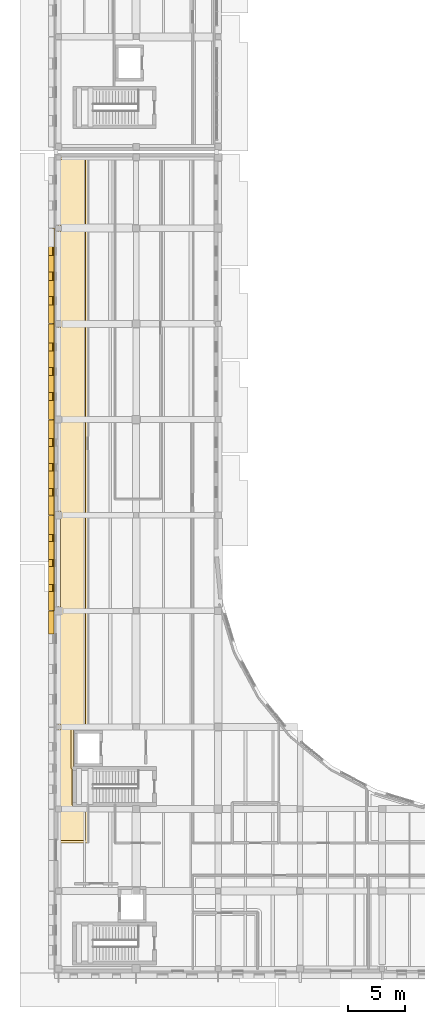
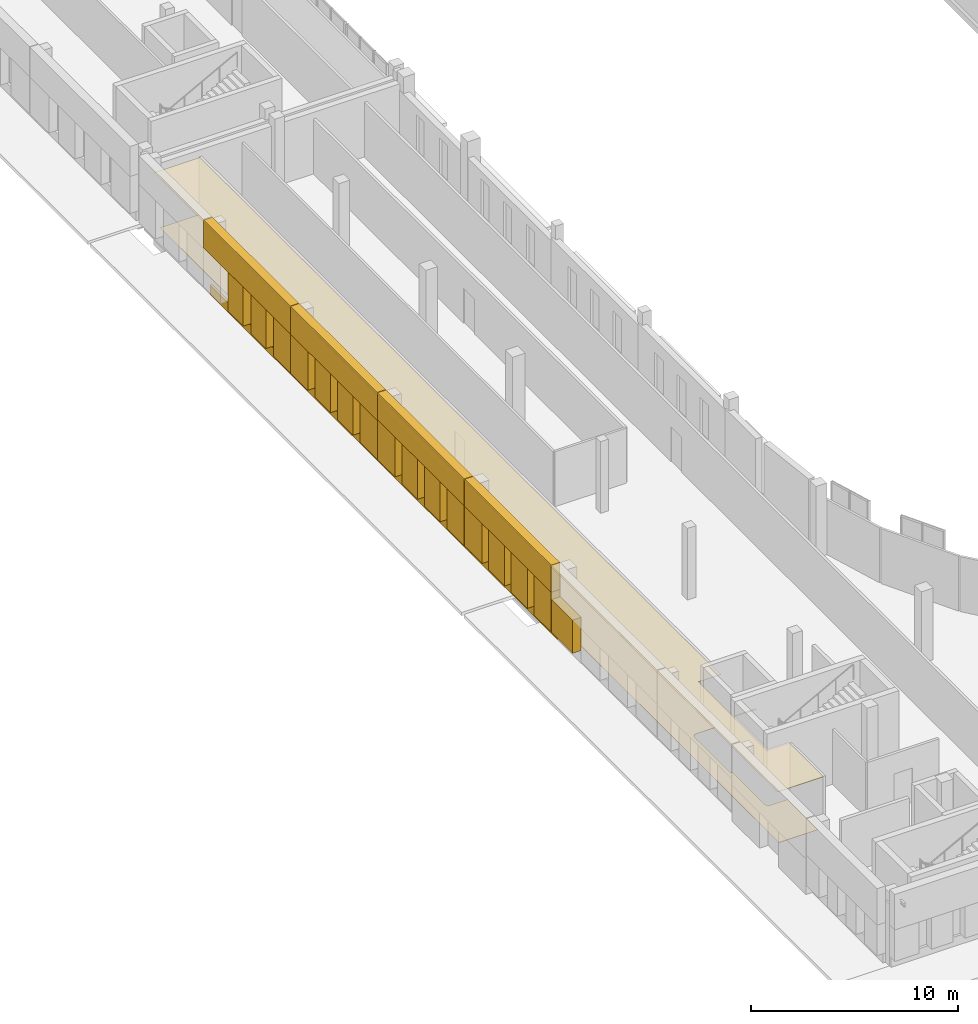
# One storey, part 68 of 77: 26 coverings.
"""IFC4 building model written with IfcOpenShell, lengths in metres."""

from ifc_helpers import new_model, si_unit, direction, frame, origin, place, context, subcontext, project, spatial, polyline, outline, extrude, material, layer, layer_set, type_object, element, save


model = new_model("IFC4")

# Units and contexts
model_context = context("Model", 3, precision=1e-05, world=origin(), true_north=direction((0.0, 1.0)))
body_context = subcontext(model_context, "Body", "Model", "MODEL_VIEW")
ifc_project = project(units=[si_unit("LENGTHUNIT", "METRE"), si_unit("AREAUNIT", "SQUARE_METRE"), si_unit("VOLUMEUNIT", "CUBIC_METRE"), si_unit("PLANEANGLEUNIT", "RADIAN"), si_unit("MASSUNIT", "GRAM", prefix="KILO")], contexts=[model_context])

# Site, building, storey
site_placement = place(None, origin())
site = spatial("IfcSite", under=ifc_project, at=site_placement, CompositionType="ELEMENT")
building_placement = place(site_placement, origin())
building = spatial("IfcBuilding", under=site, at=building_placement, Name="Vardoun Plaza Health Centre", CompositionType="ELEMENT")
storey_placement = place(building_placement, origin())
storey = spatial("IfcBuildingStorey", under=building, at=storey_placement, Name="L00", CompositionType="ELEMENT", Elevation=0.0)

# Coverings
ifc_material_1 = material(Name="Hygienic Acoustic Mineral-Fibre Ceiling", Category="concrete")
ifc_layer_1 = layer(ifc_material_1, 0.02490234375)
ifc_layer_set_1 = layer_set([ifc_layer_1], Name="Hygienic Acoustic Mineral-Fibre Ceiling")
covering_type_1 = type_object("IfcCoveringType", Name="CL-01", PredefinedType="CEILING", material=ifc_layer_set_1)
covering_1_placement = place(storey_placement, frame((0.0, 0.0, 3.179931640625)))
element("IfcCovering", 1, at=covering_1_placement, inside=storey, type_object=covering_type_1, Name="GP Consulting Room 02 Acoustic Ceiling", PredefinedType="CEILING", context=body_context, shape_type="SweptSolid", body=[
    extrude(outline(polyline([(4.860107421875, 76.139892578125), (7.449951171875, 76.139892578125), (7.449951171875, 25.860107421875), (6.199951171875, 25.860107421875), (6.198974609375, 25.860107421875), (6.197998046875, 25.85986328125), (6.197021484375, 25.859619140625), (6.1962890625, 25.859130859375), (6.1953125, 25.85888671875), (6.1943359375, 25.8583984375), (6.193603515625, 25.857666015625), (6.19287109375, 25.857177734375), (6.1923828125, 25.856201171875), (6.191650390625, 25.855712890625), (6.191162109375, 25.854736328125), (6.19091796875, 25.853759765625), (6.1904296875, 25.852783203125), (6.190185546875, 25.85205078125), (6.18994140625, 25.85107421875), (6.18994140625, 25.85009765625), (6.18994140625, 22.550048828125), (6.18994140625, 22.549072265625), (6.190185546875, 22.548095703125), (6.1904296875, 22.547119140625), (6.19091796875, 22.546142578125), (6.191162109375, 22.54541015625), (6.191650390625, 22.54443359375), (6.1923828125, 22.543701171875), (6.19287109375, 22.54296875), (6.193603515625, 22.542236328125), (6.1943359375, 22.541748046875), (6.1953125, 22.541259765625), (6.1962890625, 22.540771484375), (6.197021484375, 22.540283203125), (6.197998046875, 22.540283203125), (6.198974609375, 22.5400390625), (6.199951171875, 22.5400390625), (7.449951171875, 22.5400390625), (7.449951171875, 22.4599609375), (6.300048828125, 22.4599609375), (6.299072265625, 22.4599609375), (6.298095703125, 22.459716796875), (6.297119140625, 22.459716796875), (6.296142578125, 22.459228515625), (6.29541015625, 22.458740234375), (6.29443359375, 22.458251953125), (6.293701171875, 22.457763671875), (6.29296875, 22.45703125), (6.292236328125, 22.456298828125), (6.291748046875, 22.45556640625), (6.291259765625, 22.45458984375), (6.290771484375, 22.453857421875), (6.290283203125, 22.452880859375), (6.290283203125, 22.451904296875), (6.2900390625, 22.450927734375), (6.2900390625, 22.449951171875), (6.2900390625, 19.300048828125), (6.2900390625, 19.299072265625), (6.290283203125, 19.298095703125), (6.290283203125, 19.297119140625), (6.290771484375, 19.296142578125), (6.291259765625, 19.29541015625), (6.291748046875, 19.29443359375), (6.292236328125, 19.293701171875), (6.29296875, 19.29296875), (6.293701171875, 19.292236328125), (6.29443359375, 19.291748046875), (6.29541015625, 19.291259765625), (6.296142578125, 19.290771484375), (6.297119140625, 19.290283203125), (6.298095703125, 19.290283203125), (6.299072265625, 19.2900390625), (6.300048828125, 19.2900390625), (7.449951171875, 19.2900390625), (7.449951171875, 15.929931640625), (4.860107421875, 15.929931640625), (4.860107421875, 76.139892578125)])), origin(), (0.0, 0.0, 1.0), 0.025146484375),
])
ifc_material_2 = material(Name="Pale Limestone Concrete C35/45", Category="masonry")
ifc_layer_2 = layer(ifc_material_2, 0.080078125)
ifc_layer_set_2 = layer_set([ifc_layer_2], Name="Pale Limestone Concrete C35/45")
covering_type_2 = type_object("IfcCoveringType", Name="CL-EXT1", PredefinedType="CLADDING", material=ifc_layer_set_2)
covering_2_placement = place(storey_placement, frame((0.0, 0.0, 0.550048828125)))
element("IfcCovering", 2, at=covering_2_placement, inside=storey, type_object=covering_type_2, Name="V2 L00 Deep-Punched Slot Concrete Reveal Pier 53", PredefinedType="CLADDING", context=body_context, shape_type="SweptSolid", body=[
    extrude(outline(polyline([(4.5, 34.261962890625), (4.5, 36.280029296875), (4.02001953125, 36.280029296875), (4.02001953125, 34.261962890625), (4.5, 34.261962890625)])), origin(), (0.0, 0.0, 1.0), 1.949951171875),
])
covering_3_placement = place(storey_placement, origin())
element("IfcCovering", 3, at=covering_3_placement, inside=storey, type_object=covering_type_2, Name="V2 L00 Pale Concrete Sill Band 54", PredefinedType="CLADDING", context=body_context, shape_type="SweptSolid", body=[
    extrude(outline(polyline([(4.5, 36.320068359375), (4.5, 44.679931640625), (4.360107421875, 44.679931640625), (4.360107421875, 36.320068359375), (4.5, 36.320068359375)])), origin(), (0.0, 0.0, 1.0), 0.550048828125),
])
covering_4_placement = place(storey_placement, frame((0.0, 0.0, 2.89990234375)))
element("IfcCovering", 4, at=covering_4_placement, inside=storey, type_object=covering_type_2, Name="V2 L00 Sculpted Concrete Eyebrow Hood 55", PredefinedType="CLADDING", context=body_context, shape_type="SweptSolid", body=[
    extrude(outline(polyline([(4.5, 36.320068359375), (4.5, 44.679931640625), (4.02001953125, 44.679931640625), (4.02001953125, 36.320068359375), (4.5, 36.320068359375)])), origin(), (0.0, 0.0, 1.0), 1.60009765625),
])
covering_5_placement = place(storey_placement, frame((0.0, 0.0, 0.550048828125)))
element("IfcCovering", 5, at=covering_5_placement, inside=storey, type_object=covering_type_2, Name="V2 L00 Deep-Punched Slot Concrete Reveal Pier 56", PredefinedType="CLADDING", context=body_context, shape_type="SweptSolid", body=[
    extrude(outline(polyline([(4.5, 36.320068359375), (4.5, 38.006103515625), (4.02001953125, 38.006103515625), (4.02001953125, 36.320068359375), (4.5, 36.320068359375)])), origin(), (0.0, 0.0, 1.0), 2.349853515625),
])
covering_6_placement = place(storey_placement, frame((0.0, 0.0, 0.550048828125)))
element("IfcCovering", 6, at=covering_6_placement, inside=storey, type_object=covering_type_2, Name="V2 L00 Deep-Punched Slot Concrete Reveal Pier 57", PredefinedType="CLADDING", context=body_context, shape_type="SweptSolid", body=[
    extrude(outline(polyline([(4.5, 38.6259765625), (4.5, 40.18994140625), (4.02001953125, 40.18994140625), (4.02001953125, 38.6259765625), (4.5, 38.6259765625)])), origin(), (0.0, 0.0, 1.0), 2.349853515625),
])
covering_7_placement = place(storey_placement, frame((0.0, 0.0, 0.550048828125)))
element("IfcCovering", 7, at=covering_7_placement, inside=storey, type_object=covering_type_2, Name="V2 L00 Deep-Punched Slot Concrete Reveal Pier 58", PredefinedType="CLADDING", context=body_context, shape_type="SweptSolid", body=[
    extrude(outline(polyline([(4.5, 40.81005859375), (4.5, 42.3740234375), (4.02001953125, 42.3740234375), (4.02001953125, 40.81005859375), (4.5, 40.81005859375)])), origin(), (0.0, 0.0, 1.0), 2.349853515625),
])
covering_8_placement = place(storey_placement, frame((0.0, 0.0, 0.550048828125)))
element("IfcCovering", 8, at=covering_8_placement, inside=storey, type_object=covering_type_2, Name="V2 L00 Deep-Punched Slot Concrete Reveal Pier 59", PredefinedType="CLADDING", context=body_context, shape_type="SweptSolid", body=[
    extrude(outline(polyline([(4.5, 42.993896484375), (4.5, 44.679931640625), (4.02001953125, 44.679931640625), (4.02001953125, 42.993896484375), (4.5, 42.993896484375)])), origin(), (0.0, 0.0, 1.0), 2.349853515625),
])
covering_9_placement = place(storey_placement, origin())
element("IfcCovering", 9, at=covering_9_placement, inside=storey, type_object=covering_type_2, Name="V2 L00 Pale Concrete Sill Band 60", PredefinedType="CLADDING", context=body_context, shape_type="SweptSolid", body=[
    extrude(outline(polyline([(4.5, 44.719970703125), (4.5, 53.080078125), (4.360107421875, 53.080078125), (4.360107421875, 44.719970703125), (4.5, 44.719970703125)])), origin(), (0.0, 0.0, 1.0), 0.550048828125),
])
covering_10_placement = place(storey_placement, frame((0.0, 0.0, 2.89990234375)))
element("IfcCovering", 10, at=covering_10_placement, inside=storey, type_object=covering_type_2, Name="V2 L00 Sculpted Concrete Eyebrow Hood 61", PredefinedType="CLADDING", context=body_context, shape_type="SweptSolid", body=[
    extrude(outline(polyline([(4.5, 44.719970703125), (4.5, 53.080078125), (4.02001953125, 53.080078125), (4.02001953125, 44.719970703125), (4.5, 44.719970703125)])), origin(), (0.0, 0.0, 1.0), 1.60009765625),
])
covering_11_placement = place(storey_placement, frame((0.0, 0.0, 0.550048828125)))
element("IfcCovering", 11, at=covering_11_placement, inside=storey, type_object=covering_type_2, Name="V2 L00 Deep-Punched Slot Concrete Reveal Pier 62", PredefinedType="CLADDING", context=body_context, shape_type="SweptSolid", body=[
    extrude(outline(polyline([(4.5, 44.719970703125), (4.5, 46.385986328125), (4.02001953125, 46.385986328125), (4.02001953125, 44.719970703125), (4.5, 44.719970703125)])), origin(), (0.0, 0.0, 1.0), 2.349853515625),
])
covering_12_placement = place(storey_placement, frame((0.0, 0.0, 0.550048828125)))
element("IfcCovering", 12, at=covering_12_placement, inside=storey, type_object=covering_type_2, Name="V2 L00 Deep-Punched Slot Concrete Reveal Pier 63", PredefinedType="CLADDING", context=body_context, shape_type="SweptSolid", body=[
    extrude(outline(polyline([(4.5, 47.0458984375), (4.5, 48.570068359375), (4.02001953125, 48.570068359375), (4.02001953125, 47.0458984375), (4.5, 47.0458984375)])), origin(), (0.0, 0.0, 1.0), 2.349853515625),
])
covering_13_placement = place(storey_placement, frame((0.0, 0.0, 0.550048828125)))
element("IfcCovering", 13, at=covering_13_placement, inside=storey, type_object=covering_type_2, Name="V2 L00 Deep-Punched Slot Concrete Reveal Pier 64", PredefinedType="CLADDING", context=body_context, shape_type="SweptSolid", body=[
    extrude(outline(polyline([(4.5, 49.22998046875), (4.5, 50.75390625), (4.02001953125, 50.75390625), (4.02001953125, 49.22998046875), (4.5, 49.22998046875)])), origin(), (0.0, 0.0, 1.0), 2.349853515625),
])
covering_14_placement = place(storey_placement, frame((0.0, 0.0, 0.550048828125)))
element("IfcCovering", 14, at=covering_14_placement, inside=storey, type_object=covering_type_2, Name="V2 L00 Deep-Punched Slot Concrete Reveal Pier 65", PredefinedType="CLADDING", context=body_context, shape_type="SweptSolid", body=[
    extrude(outline(polyline([(4.5, 51.4140625), (4.5, 53.080078125), (4.02001953125, 53.080078125), (4.02001953125, 51.4140625), (4.5, 51.4140625)])), origin(), (0.0, 0.0, 1.0), 2.349853515625),
])
covering_15_placement = place(storey_placement, origin())
element("IfcCovering", 15, at=covering_15_placement, inside=storey, type_object=covering_type_2, Name="V2 L00 Pale Concrete Sill Band 66", PredefinedType="CLADDING", context=body_context, shape_type="SweptSolid", body=[
    extrude(outline(polyline([(4.5, 53.1201171875), (4.5, 61.47998046875), (4.360107421875, 61.47998046875), (4.360107421875, 53.1201171875), (4.5, 53.1201171875)])), origin(), (0.0, 0.0, 1.0), 0.550048828125),
])
covering_16_placement = place(storey_placement, frame((0.0, 0.0, 2.85009765625)))
element("IfcCovering", 16, at=covering_16_placement, inside=storey, type_object=covering_type_2, Name="V2 L00 Sculpted Concrete Eyebrow Hood 67", PredefinedType="CLADDING", context=body_context, shape_type="SweptSolid", body=[
    extrude(outline(polyline([(4.5, 53.1201171875), (4.5, 61.47998046875), (4.02001953125, 61.47998046875), (4.02001953125, 53.1201171875), (4.5, 53.1201171875)])), origin(), (0.0, 0.0, 1.0), 1.64990234375),
])
covering_17_placement = place(storey_placement, frame((0.0, 0.0, 0.550048828125)))
element("IfcCovering", 17, at=covering_17_placement, inside=storey, type_object=covering_type_2, Name="V2 L00 Deep-Punched Slot Concrete Reveal Pier 68", PredefinedType="CLADDING", context=body_context, shape_type="SweptSolid", body=[
    extrude(outline(polyline([(4.5, 53.1201171875), (4.5, 54.76611328125), (4.02001953125, 54.76611328125), (4.02001953125, 53.1201171875), (4.5, 53.1201171875)])), origin(), (0.0, 0.0, 1.0), 2.300048828125),
])
covering_18_placement = place(storey_placement, frame((0.0, 0.0, 0.550048828125)))
element("IfcCovering", 18, at=covering_18_placement, inside=storey, type_object=covering_type_2, Name="V2 L00 Deep-Punched Slot Concrete Reveal Pier 69", PredefinedType="CLADDING", context=body_context, shape_type="SweptSolid", body=[
    extrude(outline(polyline([(4.5, 55.466064453125), (4.5, 56.949951171875), (4.02001953125, 56.949951171875), (4.02001953125, 55.466064453125), (4.5, 55.466064453125)])), origin(), (0.0, 0.0, 1.0), 2.300048828125),
])
covering_19_placement = place(storey_placement, frame((0.0, 0.0, 0.550048828125)))
element("IfcCovering", 19, at=covering_19_placement, inside=storey, type_object=covering_type_2, Name="V2 L00 Deep-Punched Slot Concrete Reveal Pier 70", PredefinedType="CLADDING", context=body_context, shape_type="SweptSolid", body=[
    extrude(outline(polyline([(4.5, 57.64990234375), (4.5, 59.134033203125), (4.02001953125, 59.134033203125), (4.02001953125, 57.64990234375), (4.5, 57.64990234375)])), origin(), (0.0, 0.0, 1.0), 2.300048828125),
])
covering_20_placement = place(storey_placement, frame((0.0, 0.0, 0.550048828125)))
element("IfcCovering", 20, at=covering_20_placement, inside=storey, type_object=covering_type_2, Name="V2 L00 Deep-Punched Slot Concrete Reveal Pier 71", PredefinedType="CLADDING", context=body_context, shape_type="SweptSolid", body=[
    extrude(outline(polyline([(4.5, 59.833984375), (4.5, 61.47998046875), (4.02001953125, 61.47998046875), (4.02001953125, 59.833984375), (4.5, 59.833984375)])), origin(), (0.0, 0.0, 1.0), 2.300048828125),
])
covering_21_placement = place(storey_placement, origin())
element("IfcCovering", 21, at=covering_21_placement, inside=storey, type_object=covering_type_2, Name="V2 L00 Pale Concrete Sill Band 72", PredefinedType="CLADDING", context=body_context, shape_type="SweptSolid", body=[
    extrude(outline(polyline([(4.5, 61.52001953125), (4.5, 69.8798828125), (4.360107421875, 69.8798828125), (4.360107421875, 61.52001953125), (4.5, 61.52001953125)])), origin(), (0.0, 0.0, 1.0), 0.550048828125),
])
covering_22_placement = place(storey_placement, frame((0.0, 0.0, 2.85009765625)))
element("IfcCovering", 22, at=covering_22_placement, inside=storey, type_object=covering_type_2, Name="V2 L00 Sculpted Concrete Eyebrow Hood 73", PredefinedType="CLADDING", context=body_context, shape_type="SweptSolid", body=[
    extrude(outline(polyline([(4.5, 61.52001953125), (4.5, 69.8798828125), (4.02001953125, 69.8798828125), (4.02001953125, 61.52001953125), (4.5, 61.52001953125)])), origin(), (0.0, 0.0, 1.0), 1.64990234375),
])
covering_23_placement = place(storey_placement, frame((0.0, 0.0, 0.550048828125)))
element("IfcCovering", 23, at=covering_23_placement, inside=storey, type_object=covering_type_2, Name="V2 L00 Deep-Punched Slot Concrete Reveal Pier 74", PredefinedType="CLADDING", context=body_context, shape_type="SweptSolid", body=[
    extrude(outline(polyline([(4.5, 61.52001953125), (4.5, 63.14599609375), (4.02001953125, 63.14599609375), (4.02001953125, 61.52001953125), (4.5, 61.52001953125)])), origin(), (0.0, 0.0, 1.0), 2.300048828125),
])
covering_24_placement = place(storey_placement, frame((0.0, 0.0, 0.550048828125)))
element("IfcCovering", 24, at=covering_24_placement, inside=storey, type_object=covering_type_2, Name="V2 L00 Deep-Punched Slot Concrete Reveal Pier 75", PredefinedType="CLADDING", context=body_context, shape_type="SweptSolid", body=[
    extrude(outline(polyline([(4.5, 63.885986328125), (4.5, 65.330078125), (4.02001953125, 65.330078125), (4.02001953125, 63.885986328125), (4.5, 63.885986328125)])), origin(), (0.0, 0.0, 1.0), 2.300048828125),
])
covering_25_placement = place(storey_placement, frame((0.0, 0.0, 0.550048828125)))
element("IfcCovering", 25, at=covering_25_placement, inside=storey, type_object=covering_type_2, Name="V2 L00 Deep-Punched Slot Concrete Reveal Pier 76", PredefinedType="CLADDING", context=body_context, shape_type="SweptSolid", body=[
    extrude(outline(polyline([(4.5, 66.070068359375), (4.5, 67.513916015625), (4.02001953125, 67.513916015625), (4.02001953125, 66.070068359375), (4.5, 66.070068359375)])), origin(), (0.0, 0.0, 1.0), 2.300048828125),
])
ifc_material_3 = material(Name="Seamless Conductive Clinical Vinyl Flooring", Category="concrete")
ifc_layer_3 = layer(ifc_material_3, 0.014892578125)
ifc_layer_set_3 = layer_set([ifc_layer_3], Name="Seamless Conductive Clinical Vinyl Flooring")
covering_type_3 = type_object("IfcCoveringType", Name="FL-01", PredefinedType="FLOORING", material=ifc_layer_set_3)
covering_26_placement = place(storey_placement, origin())
element("IfcCovering", 26, at=covering_26_placement, inside=storey, type_object=covering_type_3, Name="GP Consulting Room 02 Floor Finish", PredefinedType="FLOORING", context=body_context, shape_type="SweptSolid", body=[
    extrude(outline(polyline([(5.070068359375, 75.929931640625), (7.239990234375, 75.929931640625), (7.239990234375, 26.070068359375), (6.199951171875, 26.070068359375), (6.178466796875, 26.06884765625), (6.156982421875, 26.06591796875), (6.135986328125, 26.060546875), (6.11572265625, 26.05322265625), (6.09619140625, 26.0439453125), (6.077880859375, 26.032958984375), (6.060302734375, 26.02001953125), (6.04443359375, 26.005615234375), (6.02978515625, 25.989501953125), (6.01708984375, 25.97216796875), (6.006103515625, 25.95361328125), (5.99658203125, 25.93408203125), (5.989501953125, 25.913818359375), (5.984130859375, 25.892822265625), (5.981201171875, 25.87158203125), (5.97998046875, 25.85009765625), (5.97998046875, 22.550048828125), (5.981201171875, 22.5283203125), (5.984130859375, 22.507080078125), (5.989501953125, 22.486083984375), (5.99658203125, 22.4658203125), (6.006103515625, 22.4462890625), (6.01708984375, 22.427734375), (6.02978515625, 22.410400390625), (6.04443359375, 22.394287109375), (6.060302734375, 22.3798828125), (6.077880859375, 22.3671875), (6.080078125, 22.36572265625), (6.080078125, 19.300048828125), (6.0810546875, 19.2783203125), (6.084228515625, 19.257080078125), (6.089599609375, 19.236083984375), (6.0966796875, 19.2158203125), (6.10595703125, 19.1962890625), (6.1171875, 19.177734375), (6.1298828125, 19.160400390625), (6.144287109375, 19.144287109375), (6.160400390625, 19.1298828125), (6.177734375, 19.1171875), (6.1962890625, 19.10595703125), (6.2158203125, 19.0966796875), (6.236083984375, 19.089599609375), (6.257080078125, 19.084228515625), (6.2783203125, 19.0810546875), (6.300048828125, 19.080078125), (7.239990234375, 19.080078125), (7.239990234375, 16.139892578125), (5.070068359375, 16.139892578125), (5.070068359375, 75.929931640625)])), origin(), (0.0, 0.0, 1.0), 0.014892578125),
])

save(model, "model.ifc")
